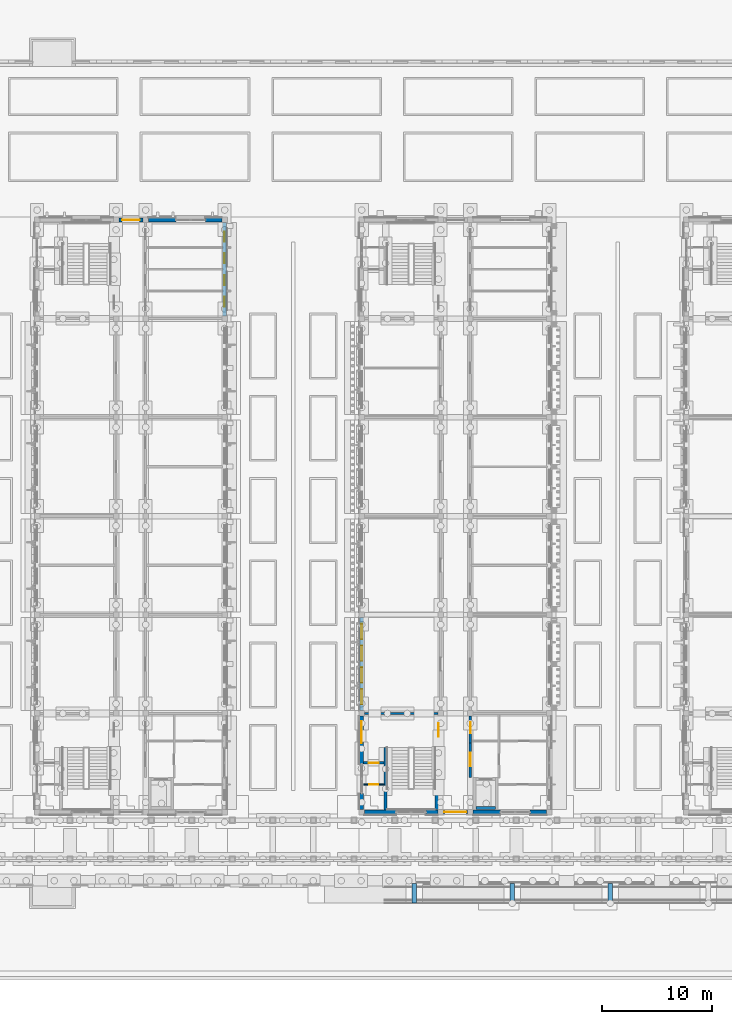
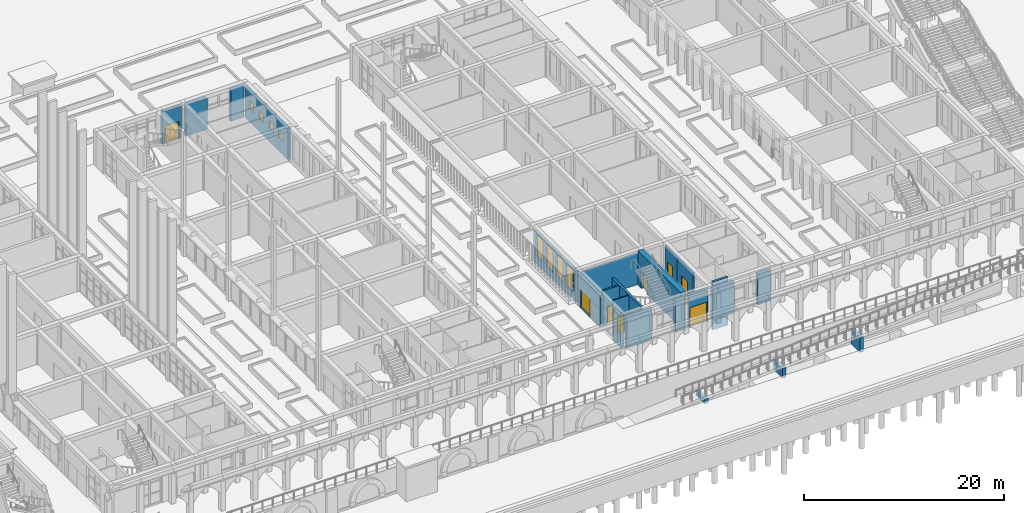
# One storey, part 67 of 161: 24 walls, 8 doors, 8 windows, 16 openings.
"""IFC4 building model written with IfcOpenShell, lengths in metres."""

from ifc_helpers import new_model, si_unit, direction, frame, frame_2d, origin, place, context, subcontext, project, spatial, rectangle, extrude, material, layer, layer_set, type_object, element, fill, save


model = new_model("IFC4")

# Units and contexts
model_context = context("Model", 3, precision=1e-05, world=origin(), true_north=direction((0.0, 1.0)))
body_context = subcontext(model_context, "Body", "Model", "MODEL_VIEW")
ifc_project = project(units=[si_unit("LENGTHUNIT", "METRE"), si_unit("AREAUNIT", "SQUARE_METRE"), si_unit("VOLUMEUNIT", "CUBIC_METRE"), si_unit("PLANEANGLEUNIT", "RADIAN"), si_unit("MASSUNIT", "GRAM", prefix="KILO")], contexts=[model_context])

# Site, building, storey
site_placement = place(None, origin())
site = spatial("IfcSite", under=ifc_project, at=site_placement, CompositionType="ELEMENT")
building_placement = place(site_placement, origin())
building = spatial("IfcBuilding", under=site, at=building_placement, Name="Elbe Cascade School", CompositionType="ELEMENT")
storey_placement = place(building_placement, origin())
storey = spatial("IfcBuildingStorey", under=building, at=storey_placement, Name="L00", CompositionType="ELEMENT", Elevation=0.0)

# Wall, opening, door
ifc_material_1 = material(Name="Masonry - lime-sand block, plastered", Category="masonry")
ifc_layer_1 = layer(ifc_material_1, 0.199951171875)
ifc_layer_set_1 = layer_set([ifc_layer_1], Name="Masonry - lime-sand block, plastered")
wall_type_1 = type_object("IfcWallType", Name="Bar corridor wall lime-sand block 200 EI 30", PredefinedType="PARTITIONING", material=ifc_layer_set_1)
wall_1_placement = place(storey_placement, frame((138.10009765625, 12.300048828125, 0.0), z_axis=(0.0, 0.0, 1.0), x_axis=(0.0, -1.0, 0.0)))
wall_1 = element("IfcWall", 1, at=wall_1_placement, inside=storey, type_object=wall_type_1, Name="Bar corridor wall lime-sand block 200 EI 30", PredefinedType="PARTITIONING", context=body_context, shape_type="SweptSolid", body=[
    extrude(rectangle(XDim=3.150146484375, YDim=0.199951171875, at=frame_2d((1.5751953125, 0.0))), origin(), (0.0, 0.0, 1.0), 3.800048828125),
])
opening_1_placement = place(wall_1_placement, frame((0.89990234375, 0.0, 0.0)))
opening_1 = element("IfcOpeningElement", 2, at=opening_1_placement, cuts=wall_1, Name="Opening D0.071", PredefinedType="OPENING", context=body_context, shape_type="SweptSolid", body=[
    extrude(rectangle(XDim=1.199951171875, YDim=2.10009765625, at=frame_2d((0.60009765625, 1.050048828125))), frame((0.0, 0.10986328125, 0.0), z_axis=(0.0, -1.0, 0.0), x_axis=(1.0, 0.0, 0.0)), (0.0, 0.0, 1.0), 0.219970703125),
])
ifc_material_2 = material(Name="Timber door leaf, fire-resisting and smoke-tight, steel frame", Category="steel")
door_type_1 = type_object("IfcDoorType", Name="Bar door FD30S 1200x2100", OperationType="NOTDEFINED", PredefinedType="DOOR", material=ifc_material_2)
door_1_placement = place(opening_1_placement, origin())
door_1 = element("IfcDoor", 3, at=door_1_placement, inside=storey, type_object=door_type_1, Name="Door C0.06", OperationType="SINGLE_SWING_LEFT", OverallHeight=2.10009765625, OverallWidth=1.199951171875, PredefinedType="DOOR", context=body_context, shape_type="SweptSolid", body=[
    extrude(rectangle(XDim=1.199951171875, YDim=2.10009765625, at=frame_2d((0.60009765625, 1.050048828125))), frame((0.0, 0.02490234375, 0.0), z_axis=(0.0, -1.0, 0.0), x_axis=(1.0, 0.0, 0.0)), (0.0, 0.0, 1.0), 0.050048828125),
])
fill(opening_1, door_1)

wall_2_placement = place(storey_placement, frame((138.10009765625, 12.300048828125, 0.0), z_axis=(0.0, 0.0, 1.0), x_axis=(0.0, 1.0, 0.0)))
wall_2 = element("IfcWall", 4, at=wall_2_placement, inside=storey, type_object=wall_type_1, Name="Bar corridor wall lime-sand block 200 EI 30", PredefinedType="PARTITIONING", context=body_context, shape_type="SweptSolid", body=[
    extrude(rectangle(XDim=2.449951171875, YDim=0.199951171875, at=frame_2d((1.22509765625, 0.0))), origin(), (0.0, 0.0, 1.0), 3.800048828125),
])
opening_2_placement = place(wall_2_placement, frame((0.89990234375, 0.0, 0.0)))
opening_2 = element("IfcOpeningElement", 5, at=opening_2_placement, cuts=wall_2, Name="Opening D0.076", PredefinedType="OPENING", context=body_context, shape_type="SweptSolid", body=[
    extrude(rectangle(XDim=1.0, YDim=2.10009765625, at=frame_2d((0.5, 1.050048828125))), frame((0.0, 0.10986328125, 0.0), z_axis=(0.0, -1.0, 0.0), x_axis=(1.0, 0.0, 0.0)), (0.0, 0.0, 1.0), 0.219970703125),
])
ifc_material_3 = material(Name="Timber door leaf, fire-resisting, steel frame", Category="steel")
door_type_2 = type_object("IfcDoorType", Name="Bar door FD30 1000x2100", OperationType="NOTDEFINED", PredefinedType="DOOR", material=ifc_material_3)
door_2_placement = place(opening_2_placement, origin())
door_2 = element("IfcDoor", 6, at=door_2_placement, inside=storey, type_object=door_type_2, Name="Door C0.10", OperationType="SINGLE_SWING_RIGHT", OverallHeight=2.10009765625, OverallWidth=1.0, PredefinedType="DOOR", context=body_context, shape_type="SweptSolid", body=[
    extrude(rectangle(XDim=1.0, YDim=2.10009765625, at=frame_2d((0.5, 1.050048828125))), frame((0.0, 0.02490234375, 0.0), z_axis=(0.0, -1.0, 0.0), x_axis=(1.0, 0.0, 0.0)), (0.0, 0.0, 1.0), 0.050048828125),
])
fill(opening_2, door_2)

ifc_material_4 = material(Name="Masonry - lime-sand block, plastered", Category="masonry")
ifc_layer_2 = layer(ifc_material_4, 0.114990234375)
ifc_layer_set_2 = layer_set([ifc_layer_2], Name="Masonry - lime-sand block, plastered")
wall_type_2 = type_object("IfcWallType", Name="Bar light partition wall lime-sand block 115", PredefinedType="PARTITIONING", material=ifc_layer_set_2)
wall_3_placement = place(storey_placement, frame((130.25, 8.52001953125, 0.0), z_axis=(0.0, 0.0, 1.0), x_axis=(-1.0, 0.0, 0.0)))
wall_3 = element("IfcWall", 7, at=wall_3_placement, inside=storey, type_object=wall_type_2, Name="Bar light partition wall lime-sand block 115", PredefinedType="PARTITIONING", context=body_context, shape_type="SweptSolid", body=[
    extrude(rectangle(XDim=1.8701171875, YDim=0.114990234375, at=frame_2d((0.93505859375, 0.0))), origin(), (0.0, 0.0, 1.0), 4.25),
])
opening_3_placement = place(wall_3_placement, frame((0.550048828125, 0.0, 0.0)))
opening_3 = element("IfcOpeningElement", 8, at=opening_3_placement, cuts=wall_3, Name="Opening D0.067", PredefinedType="OPENING", context=body_context, shape_type="SweptSolid", body=[
    extrude(rectangle(XDim=0.800048828125, YDim=2.10009765625, at=frame_2d((0.39990234375, 1.050048828125))), frame((0.0, 0.0673828125, 0.0), z_axis=(0.0, -1.0, 0.0), x_axis=(1.0, 0.0, 0.0)), (0.0, 0.0, 1.0), 0.135009765625),
])
ifc_material_5 = material(Name="Timber door leaf, steel frame", Category="steel")
door_type_3 = type_object("IfcDoorType", Name="Bar door 800x2100", OperationType="NOTDEFINED", PredefinedType="DOOR", material=ifc_material_5)
door_3_placement = place(opening_3_placement, origin())
door_3 = element("IfcDoor", 9, at=door_3_placement, inside=storey, type_object=door_type_3, Name="Door C0.05", OperationType="SINGLE_SWING_LEFT", OverallHeight=2.10009765625, OverallWidth=0.800048828125, PredefinedType="DOOR", context=body_context, shape_type="SweptSolid", body=[
    extrude(rectangle(XDim=0.800048828125, YDim=2.10009765625, at=frame_2d((0.39990234375, 1.050048828125))), frame((0.0, 0.02490234375, 0.0), z_axis=(0.0, -1.0, 0.0), x_axis=(1.0, 0.0, 0.0)), (0.0, 0.0, 1.0), 0.050048828125),
])
fill(opening_3, door_3)

# Wall
ifc_material_6 = material(Name="Concrete C30/37", Category="concrete")
ifc_layer_3 = layer(ifc_material_6, 0.25)
ifc_layer_set_3 = layer_set([ifc_layer_3], Name="Concrete C30/37")
wall_type_3 = type_object("IfcWallType", Name="Bar stair core wall RC 250", PredefinedType="SOLIDWALL", material=ifc_layer_set_3)
wall_4_placement = place(storey_placement, frame((130.375, 6.179931640625, 0.0), z_axis=(0.0, 0.0, 1.0), x_axis=(0.0, 1.0, 0.0)))
element("IfcWall", 10, at=wall_4_placement, inside=storey, type_object=wall_type_3, Name="Bar stair core wall RC 250", PredefinedType="SOLIDWALL", context=body_context, shape_type="SweptSolid", body=[
    extrude(rectangle(XDim=5.719970703125, YDim=0.25, at=frame_2d((2.85986328125, 0.0))), origin(), (0.0, 0.0, 1.0), 4.25),
])

# Wall, opening, door
ifc_material_7 = material(Name="Concrete C30/37", Category="concrete")
ifc_layer_4 = layer(ifc_material_7, 0.60009765625)
ifc_layer_set_4 = layer_set([ifc_layer_4], Name="Concrete C30/37")
wall_type_4 = type_object("IfcWallType", Name="Bar stair core wall RC 600", PredefinedType="SOLIDWALL", material=ifc_layer_set_4)
wall_5_placement = place(storey_placement, frame((135.199951171875, 6.25, 0.0), z_axis=(0.0, 0.0, 1.0), x_axis=(0.0, 1.0, 0.0)))
wall_5 = element("IfcWall", 11, at=wall_5_placement, inside=storey, type_object=wall_type_4, Name="Bar stair core wall RC 600", PredefinedType="SOLIDWALL", context=body_context, shape_type="SweptSolid", body=[
    extrude(rectangle(XDim=8.5, YDim=0.60009765625, at=frame_2d((4.25, 0.0))), origin(), (0.0, 0.0, 1.0), 4.25),
])
opening_4_placement = place(wall_5_placement, frame((6.64990234375, 0.0, 0.0)))
opening_4 = element("IfcOpeningElement", 12, at=opening_4_placement, cuts=wall_5, Name="Opening D0.075", PredefinedType="OPENING", context=body_context, shape_type="SweptSolid", body=[
    extrude(rectangle(XDim=1.199951171875, YDim=2.10009765625, at=frame_2d((0.60009765625, 1.050048828125))), frame((0.0, 0.31005859375, 0.0), z_axis=(0.0, -1.0, 0.0), x_axis=(1.0, 0.0, 0.0)), (0.0, 0.0, 1.0), 0.6201171875),
])
door_4_placement = place(opening_4_placement, origin())
door_4 = element("IfcDoor", 13, at=door_4_placement, inside=storey, type_object=door_type_1, Name="Door C0.03", OperationType="SINGLE_SWING_RIGHT", OverallHeight=2.10009765625, OverallWidth=1.199951171875, PredefinedType="DOOR", context=body_context, shape_type="SweptSolid", body=[
    extrude(rectangle(XDim=1.199951171875, YDim=2.10009765625, at=frame_2d((0.60009765625, 1.050048828125))), frame((0.0, 0.02490234375, 0.0), z_axis=(0.0, -1.0, 0.0), x_axis=(1.0, 0.0, 0.0)), (0.0, 0.0, 1.0), 0.050048828125),
])
fill(opening_4, door_4)

ifc_material_8 = material(Name="Concrete C30/37", Category="concrete")
ifc_layer_5 = layer(ifc_material_8, 0.199951171875)
ifc_layer_set_5 = layer_set([ifc_layer_5], Name="Concrete C30/37")
wall_type_5 = type_object("IfcWallType", Name="Bar stair lobby wall RC 200", PredefinedType="SOLIDWALL", material=ifc_layer_set_5)
wall_6_placement = place(storey_placement, frame((130.25, 10.5, 0.0), z_axis=(0.0, 0.0, 1.0), x_axis=(-1.0, 0.0, 0.0)))
wall_6 = element("IfcWall", 14, at=wall_6_placement, inside=storey, type_object=wall_type_5, Name="Bar stair lobby wall RC 200", PredefinedType="SOLIDWALL", context=body_context, shape_type="SweptSolid", body=[
    extrude(rectangle(XDim=1.8701171875, YDim=0.199951171875, at=frame_2d((0.93505859375, 0.0))), origin(), (0.0, 0.0, 1.0), 4.25),
])
opening_5_placement = place(wall_6_placement, frame((0.5, 0.0, 0.0)))
opening_5 = element("IfcOpeningElement", 15, at=opening_5_placement, cuts=wall_6, Name="Opening D0.070", PredefinedType="OPENING", context=body_context, shape_type="SweptSolid", body=[
    extrude(rectangle(XDim=0.89990234375, YDim=2.10009765625, at=frame_2d((0.449951171875, 1.050048828125))), frame((0.0, 0.10986328125, 0.0), z_axis=(0.0, -1.0, 0.0), x_axis=(1.0, 0.0, 0.0)), (0.0, 0.0, 1.0), 0.219970703125),
])
ifc_material_9 = material(Name="Timber door leaf, fire-resisting and smoke-tight, steel frame", Category="steel")
door_type_4 = type_object("IfcDoorType", Name="Bar door FD30S 900x2100", OperationType="NOTDEFINED", PredefinedType="DOOR", material=ifc_material_9)
door_5_placement = place(opening_5_placement, origin())
door_5 = element("IfcDoor", 16, at=door_5_placement, inside=storey, type_object=door_type_4, Name="Door C0.04", OperationType="SINGLE_SWING_RIGHT", OverallHeight=2.10009765625, OverallWidth=0.89990234375, PredefinedType="DOOR", context=body_context, shape_type="SweptSolid", body=[
    extrude(rectangle(XDim=0.89990234375, YDim=2.10009765625, at=frame_2d((0.449951171875, 1.050048828125))), frame((0.0, 0.02490234375, 0.0), z_axis=(0.0, -1.0, 0.0), x_axis=(1.0, 0.0, 0.0)), (0.0, 0.0, 1.0), 0.050048828125),
])
fill(opening_5, door_5)

# Wall
wall_7_placement = place(storey_placement, frame((128.449951171875, 15.0, 0.0), z_axis=(0.0, 0.0, 1.0), x_axis=(1.0, 0.0, 0.0)))
element("IfcWall", 17, at=wall_7_placement, inside=storey, type_object=wall_type_5, Name="Bar stair lobby wall RC 200", PredefinedType="SOLIDWALL", context=body_context, shape_type="SweptSolid", body=[
    extrude(rectangle(XDim=6.699951171875, YDim=0.199951171875, at=frame_2d((3.35009765625, 0.0))), origin(), (0.0, 0.0, 1.0), 3.800048828125),
])

# Wall, openings, windows
ifc_material_10 = material(Name="Brick masonry - red clinker, cavity wall with render backing", Category="masonry")
ifc_layer_6 = layer(ifc_material_10, 0.360107421875)
ifc_layer_set_6 = layer_set([ifc_layer_6], Name="Brick masonry - red clinker, cavity wall with render backing")
wall_type_6 = type_object("IfcWallType", Name="Bars envelope External wall - clinker brick cavity, 360 ground floor", PredefinedType="STANDARD", material=ifc_layer_set_6)
wall_8_placement = place(storey_placement, frame((115.699951171875, 59.75, 0.0), z_axis=(0.0, 0.0, 1.0), x_axis=(0.0, -1.0, 0.0)))
wall_8 = element("IfcWall", 18, at=wall_8_placement, inside=storey, type_object=wall_type_6, Name="External wall W29 B.L00.e6", PredefinedType="STANDARD", context=body_context, shape_type="SweptSolid", body=[
    extrude(rectangle(XDim=8.5, YDim=0.360107421875, at=frame_2d((4.25, 0.0))), origin(), (0.0, 0.0, 1.0), 3.75),
])
opening_6_placement = place(wall_8_placement, frame((6.77001953125, 0.0, 1.60009765625)))
opening_6 = element("IfcOpeningElement", 19, at=opening_6_placement, cuts=wall_8, Name="Opening W0.049", PredefinedType="OPENING", context=body_context, shape_type="SweptSolid", body=[
    extrude(rectangle(XDim=0.89990234375, YDim=1.0, at=frame_2d((0.449951171875, 0.5))), frame((0.0, 0.18994140625, 0.0), z_axis=(0.0, -1.0, 0.0), x_axis=(1.0, 0.0, 0.0)), (0.0, 0.0, 1.0), 0.380126953125),
])
opening_7_placement = place(wall_8_placement, frame((4.7900390625, 0.0, 1.60009765625)))
opening_7 = element("IfcOpeningElement", 20, at=opening_7_placement, cuts=wall_8, Name="Opening W0.050", PredefinedType="OPENING", context=body_context, shape_type="SweptSolid", body=[
    extrude(rectangle(XDim=0.89990234375, YDim=1.0, at=frame_2d((0.449951171875, 0.5))), frame((0.0, 0.18994140625, 0.0), z_axis=(0.0, -1.0, 0.0), x_axis=(1.0, 0.0, 0.0)), (0.0, 0.0, 1.0), 0.380126953125),
])
opening_8_placement = place(wall_8_placement, frame((2.81005859375, 0.0, 1.60009765625)))
opening_8 = element("IfcOpeningElement", 21, at=opening_8_placement, cuts=wall_8, Name="Opening W0.051", PredefinedType="OPENING", context=body_context, shape_type="SweptSolid", body=[
    extrude(rectangle(XDim=0.89990234375, YDim=1.0, at=frame_2d((0.449951171875, 0.5))), frame((0.0, 0.18994140625, 0.0), z_axis=(0.0, -1.0, 0.0), x_axis=(1.0, 0.0, 0.0)), (0.0, 0.0, 1.0), 0.380126953125),
])
opening_9_placement = place(wall_8_placement, frame((0.830078125, 0.0, 1.60009765625)))
opening_9 = element("IfcOpeningElement", 22, at=opening_9_placement, cuts=wall_8, Name="Opening W0.052", PredefinedType="OPENING", context=body_context, shape_type="SweptSolid", body=[
    extrude(rectangle(XDim=0.89990234375, YDim=1.0, at=frame_2d((0.449951171875, 0.5))), frame((0.0, 0.18994140625, 0.0), z_axis=(0.0, -1.0, 0.0), x_axis=(1.0, 0.0, 0.0)), (0.0, 0.0, 1.0), 0.380126953125),
])
ifc_material_11 = material(Name="Aluminium frame with double glazing, bronze anodised", Category="aluminium")
window_type_1 = type_object("IfcWindowType", Name="Bars envelope Window 900 x 1000, WC and service room, high level, aluminium double glazed", PartitioningType="SINGLE_PANEL", PredefinedType="WINDOW", material=ifc_material_11)
window_1_placement = place(opening_6_placement, origin())
window_1 = element("IfcWindow", 23, at=window_1_placement, inside=storey, type_object=window_type_1, Name="Window WN4 B.L00.e6.1", OverallHeight=1.0, OverallWidth=0.89990234375, PartitioningType="SINGLE_PANEL", PredefinedType="WINDOW", context=body_context, shape_type="SweptSolid", body=[
    extrude(rectangle(XDim=0.89990234375, YDim=1.0, at=frame_2d((0.449951171875, 0.5))), frame((0.0, 0.030029296875, 0.0), z_axis=(0.0, -1.0, 0.0), x_axis=(1.0, 0.0, 0.0)), (0.0, 0.0, 1.0), 0.06005859375),
])
fill(opening_6, window_1)
window_2_placement = place(opening_7_placement, origin())
window_2 = element("IfcWindow", 24, at=window_2_placement, inside=storey, type_object=window_type_1, Name="Window WN4 B.L00.e6.2", OverallHeight=1.0, OverallWidth=0.89990234375, PartitioningType="SINGLE_PANEL", PredefinedType="WINDOW", context=body_context, shape_type="SweptSolid", body=[
    extrude(rectangle(XDim=0.89990234375, YDim=1.0, at=frame_2d((0.449951171875, 0.5))), frame((0.0, 0.030029296875, 0.0), z_axis=(0.0, -1.0, 0.0), x_axis=(1.0, 0.0, 0.0)), (0.0, 0.0, 1.0), 0.06005859375),
])
fill(opening_7, window_2)
window_3_placement = place(opening_8_placement, origin())
window_3 = element("IfcWindow", 25, at=window_3_placement, inside=storey, type_object=window_type_1, Name="Window WN4 B.L00.e6.3", OverallHeight=1.0, OverallWidth=0.89990234375, PartitioningType="SINGLE_PANEL", PredefinedType="WINDOW", context=body_context, shape_type="SweptSolid", body=[
    extrude(rectangle(XDim=0.89990234375, YDim=1.0, at=frame_2d((0.449951171875, 0.5))), frame((0.0, 0.030029296875, 0.0), z_axis=(0.0, -1.0, 0.0), x_axis=(1.0, 0.0, 0.0)), (0.0, 0.0, 1.0), 0.06005859375),
])
fill(opening_8, window_3)
window_4_placement = place(opening_9_placement, origin())
window_4 = element("IfcWindow", 26, at=window_4_placement, inside=storey, type_object=window_type_1, Name="Window WN4 B.L00.e6.4", OverallHeight=1.0, OverallWidth=0.89990234375, PartitioningType="SINGLE_PANEL", PredefinedType="WINDOW", context=body_context, shape_type="SweptSolid", body=[
    extrude(rectangle(XDim=0.89990234375, YDim=1.0, at=frame_2d((0.449951171875, 0.5))), frame((0.0, 0.030029296875, 0.0), z_axis=(0.0, -1.0, 0.0), x_axis=(1.0, 0.0, 0.0)), (0.0, 0.0, 1.0), 0.06005859375),
])
fill(opening_9, window_4)

# Wall, opening, door
wall_9_placement = place(storey_placement, frame((106.050048828125, 60.0, 0.0), z_axis=(0.0, 0.0, 1.0), x_axis=(1.0, 0.0, 0.0)))
wall_9 = element("IfcWall", 27, at=wall_9_placement, inside=storey, type_object=wall_type_6, Name="External wall W29 B.L00.n2", PredefinedType="STANDARD", context=body_context, shape_type="SweptSolid", body=[
    extrude(rectangle(XDim=2.199951171875, YDim=0.360107421875, at=frame_2d((1.10009765625, 0.0))), origin(), (0.0, 0.0, 1.0), 3.89990234375),
])
opening_10_placement = place(wall_9_placement, frame((0.300048828125, 0.0, 0.0)))
opening_10 = element("IfcOpeningElement", 28, at=opening_10_placement, cuts=wall_9, Name="Opening D0.065", PredefinedType="OPENING", context=body_context, shape_type="SweptSolid", body=[
    extrude(rectangle(XDim=1.60009765625, YDim=2.10009765625, at=frame_2d((0.800048828125, 1.050048828125))), frame((0.0, 0.18994140625, 0.0), z_axis=(0.0, -1.0, 0.0), x_axis=(1.0, 0.0, 0.0)), (0.0, 0.0, 1.0), 0.380126953125),
])
ifc_material_12 = material(Name="Steel door set, fire resisting", Category="steel")
door_type_5 = type_object("IfcDoorType", Name="Bars envelope Fire exit door, double leaf, 1600 x 2100, fire resisting", OperationType="DOUBLE_DOOR_SINGLE_SWING", PredefinedType="DOOR", material=ifc_material_12)
door_6_placement = place(opening_10_placement, origin())
door_6 = element("IfcDoor", 29, at=door_6_placement, inside=storey, type_object=door_type_5, Name="Fire exit door D16 B.L00.n2", OperationType="DOUBLE_DOOR_SINGLE_SWING", OverallHeight=2.10009765625, OverallWidth=1.60009765625, PredefinedType="DOOR", context=body_context, shape_type="SweptSolid", body=[
    extrude(rectangle(XDim=1.60009765625, YDim=2.10009765625, at=frame_2d((0.800048828125, 1.050048828125))), frame((0.0, 0.02490234375, 0.0), z_axis=(0.0, -1.0, 0.0), x_axis=(1.0, 0.0, 0.0)), (0.0, 0.0, 1.0), 0.050048828125),
])
fill(opening_10, door_6)

# Wall, openings, windows
wall_10_placement = place(storey_placement, frame((128.199951171875, 15.25, 0.0), z_axis=(0.0, 0.0, 1.0), x_axis=(0.0, 1.0, 0.0)))
wall_10 = element("IfcWall", 30, at=wall_10_placement, inside=storey, type_object=wall_type_6, Name="External wall W29 C.L00.w2", PredefinedType="STANDARD", context=body_context, shape_type="SweptSolid", body=[
    extrude(rectangle(XDim=8.5, YDim=0.360107421875, at=frame_2d((4.25, 0.0))), origin(), (0.0, 0.0, 1.0), 3.75),
])
opening_11_placement = place(wall_10_placement, frame((0.580078125, 0.0, 0.89990234375)))
opening_11 = element("IfcOpeningElement", 31, at=opening_11_placement, cuts=wall_10, Name="Opening W0.055", PredefinedType="OPENING", context=body_context, shape_type="SweptSolid", body=[
    extrude(rectangle(XDim=1.39990234375, YDim=2.699951171875, at=frame_2d((0.699951171875, 1.35009765625))), frame((0.0, 0.18994140625, 0.0), z_axis=(0.0, -1.0, 0.0), x_axis=(1.0, 0.0, 0.0)), (0.0, 0.0, 1.0), 0.380126953125),
])
opening_12_placement = place(wall_10_placement, frame((2.56005859375, 0.0, 0.89990234375)))
opening_12 = element("IfcOpeningElement", 32, at=opening_12_placement, cuts=wall_10, Name="Opening W0.057", PredefinedType="OPENING", context=body_context, shape_type="SweptSolid", body=[
    extrude(rectangle(XDim=1.39990234375, YDim=2.699951171875, at=frame_2d((0.699951171875, 1.35009765625))), frame((0.0, 0.18994140625, 0.0), z_axis=(0.0, -1.0, 0.0), x_axis=(1.0, 0.0, 0.0)), (0.0, 0.0, 1.0), 0.380126953125),
])
opening_13_placement = place(wall_10_placement, frame((4.5400390625, 0.0, 0.89990234375)))
opening_13 = element("IfcOpeningElement", 33, at=opening_13_placement, cuts=wall_10, Name="Opening W0.059", PredefinedType="OPENING", context=body_context, shape_type="SweptSolid", body=[
    extrude(rectangle(XDim=1.39990234375, YDim=2.699951171875, at=frame_2d((0.699951171875, 1.35009765625))), frame((0.0, 0.18994140625, 0.0), z_axis=(0.0, -1.0, 0.0), x_axis=(1.0, 0.0, 0.0)), (0.0, 0.0, 1.0), 0.380126953125),
])
opening_14_placement = place(wall_10_placement, frame((6.52001953125, 0.0, 0.89990234375)))
opening_14 = element("IfcOpeningElement", 34, at=opening_14_placement, cuts=wall_10, Name="Opening W0.061", PredefinedType="OPENING", context=body_context, shape_type="SweptSolid", body=[
    extrude(rectangle(XDim=1.39990234375, YDim=2.699951171875, at=frame_2d((0.699951171875, 1.35009765625))), frame((0.0, 0.18994140625, 0.0), z_axis=(0.0, -1.0, 0.0), x_axis=(1.0, 0.0, 0.0)), (0.0, 0.0, 1.0), 0.380126953125),
])
ifc_material_13 = material(Name="Aluminium frame with double glazing, bronze anodised", Category="aluminium")
window_type_2 = type_object("IfcWindowType", Name="Bars envelope Window 1400 x 2700, laboratory and office, bench height sill, aluminium double glazed", PartitioningType="DOUBLE_PANEL_VERTICAL", PredefinedType="WINDOW", material=ifc_material_13)
window_5_placement = place(opening_11_placement, origin())
window_5 = element("IfcWindow", 35, at=window_5_placement, inside=storey, type_object=window_type_2, Name="Window WN14 C.L00.w2.1", OverallHeight=2.699951171875, OverallWidth=1.39990234375, PartitioningType="DOUBLE_PANEL_VERTICAL", PredefinedType="WINDOW", context=body_context, shape_type="SweptSolid", body=[
    extrude(rectangle(XDim=1.39990234375, YDim=2.699951171875, at=frame_2d((0.699951171875, 1.35009765625))), frame((0.0, 0.030029296875, 0.0), z_axis=(0.0, -1.0, 0.0), x_axis=(1.0, 0.0, 0.0)), (0.0, 0.0, 1.0), 0.06005859375),
])
fill(opening_11, window_5)
window_6_placement = place(opening_12_placement, origin())
window_6 = element("IfcWindow", 36, at=window_6_placement, inside=storey, type_object=window_type_2, Name="Window WN14 C.L00.w2.2", OverallHeight=2.699951171875, OverallWidth=1.39990234375, PartitioningType="DOUBLE_PANEL_VERTICAL", PredefinedType="WINDOW", context=body_context, shape_type="SweptSolid", body=[
    extrude(rectangle(XDim=1.39990234375, YDim=2.699951171875, at=frame_2d((0.699951171875, 1.35009765625))), frame((0.0, 0.030029296875, 0.0), z_axis=(0.0, -1.0, 0.0), x_axis=(1.0, 0.0, 0.0)), (0.0, 0.0, 1.0), 0.06005859375),
])
fill(opening_12, window_6)
window_7_placement = place(opening_13_placement, origin())
window_7 = element("IfcWindow", 37, at=window_7_placement, inside=storey, type_object=window_type_2, Name="Window WN14 C.L00.w2.3", OverallHeight=2.699951171875, OverallWidth=1.39990234375, PartitioningType="DOUBLE_PANEL_VERTICAL", PredefinedType="WINDOW", context=body_context, shape_type="SweptSolid", body=[
    extrude(rectangle(XDim=1.39990234375, YDim=2.699951171875, at=frame_2d((0.699951171875, 1.35009765625))), frame((0.0, 0.030029296875, 0.0), z_axis=(0.0, -1.0, 0.0), x_axis=(1.0, 0.0, 0.0)), (0.0, 0.0, 1.0), 0.06005859375),
])
fill(opening_13, window_7)
window_8_placement = place(opening_14_placement, origin())
window_8 = element("IfcWindow", 38, at=window_8_placement, inside=storey, type_object=window_type_2, Name="Window WN14 C.L00.w2.4", OverallHeight=2.699951171875, OverallWidth=1.39990234375, PartitioningType="DOUBLE_PANEL_VERTICAL", PredefinedType="WINDOW", context=body_context, shape_type="SweptSolid", body=[
    extrude(rectangle(XDim=1.39990234375, YDim=2.699951171875, at=frame_2d((0.699951171875, 1.35009765625))), frame((0.0, 0.030029296875, 0.0), z_axis=(0.0, -1.0, 0.0), x_axis=(1.0, 0.0, 0.0)), (0.0, 0.0, 1.0), 0.06005859375),
])
fill(opening_14, window_8)

# Wall, opening, door
wall_11_placement = place(storey_placement, frame((137.85009765625, 6.0, 0.0), z_axis=(0.0, 0.0, 1.0), x_axis=(-1.0, 0.0, 0.0)))
wall_11 = element("IfcWall", 39, at=wall_11_placement, inside=storey, type_object=wall_type_6, Name="External wall W29 C.L00.s2", PredefinedType="STANDARD", context=body_context, shape_type="SweptSolid", body=[
    extrude(rectangle(XDim=2.2001953125, YDim=0.360107421875, at=frame_2d((1.10009765625, 0.0))), origin(), (0.0, 0.0, 1.0), 3.89990234375),
])
opening_15_placement = place(wall_11_placement, frame((0.10009765625, 0.0, 0.0)))
opening_15 = element("IfcOpeningElement", 40, at=opening_15_placement, cuts=wall_11, Name="Opening D0.066", PredefinedType="OPENING", context=body_context, shape_type="SweptSolid", body=[
    extrude(rectangle(XDim=2.0, YDim=2.39990234375, at=frame_2d((1.0, 1.199951171875))), frame((0.0, 0.18994140625, 0.0), z_axis=(0.0, -1.0, 0.0), x_axis=(1.0, 0.0, 0.0)), (0.0, 0.0, 1.0), 0.380126953125),
])
ifc_material_14 = material(Name="Aluminium and glass fire-resisting door set", Category="aluminium")
door_type_6 = type_object("IfcDoorType", Name="Bars envelope Main entrance door, double leaf, glazed, 2000 x 2400, fire resisting", OperationType="DOUBLE_DOOR_SINGLE_SWING", PredefinedType="DOOR", material=ifc_material_14)
door_7_placement = place(opening_15_placement, origin())
door_7 = element("IfcDoor", 41, at=door_7_placement, inside=storey, type_object=door_type_6, Name="Main entrance door D15 C.L00.s2", OperationType="DOUBLE_DOOR_SINGLE_SWING", OverallHeight=2.39990234375, OverallWidth=2.0, PredefinedType="DOOR", context=body_context, shape_type="SweptSolid", body=[
    extrude(rectangle(XDim=2.0, YDim=2.39990234375, at=frame_2d((1.0, 1.199951171875))), frame((0.0, 0.02490234375, 0.0), z_axis=(0.0, -1.0, 0.0), x_axis=(1.0, 0.0, 0.0)), (0.0, 0.0, 1.0), 0.050048828125),
])
fill(opening_15, door_7)

# Walls
ifc_material_15 = material(Name="Brick masonry - red clinker, solid, sandstone-faced", Category="masonry")
ifc_layer_7 = layer(ifc_material_15, 0.39990234375)
ifc_layer_set_7 = layer_set([ifc_layer_7], Name="Brick masonry - red clinker, solid, sandstone-faced")
wall_type_7 = type_object("IfcWallType", Name="Bars envelope External wall - solid masonry core strip, sandstone faced, 400", PredefinedType="STANDARD", material=ifc_layer_set_7)
wall_12_placement = place(storey_placement, frame((108.75, 60.02001953125, 0.0), z_axis=(0.0, 0.0, 1.0), x_axis=(1.0, 0.0, 0.0)))
element("IfcWall", 42, at=wall_12_placement, inside=storey, type_object=wall_type_7, Name="External wall W31 B.L00.n3a", PredefinedType="STANDARD", context=body_context, shape_type="SweptSolid", body=[
    extrude(rectangle(XDim=2.5, YDim=0.39990234375, at=frame_2d((1.25, 0.0))), origin(), (0.0, 0.0, 1.0), 3.800048828125),
])
wall_13_placement = place(storey_placement, frame((113.949951171875, 60.02001953125, 0.0), z_axis=(0.0, 0.0, 1.0), x_axis=(1.0, 0.0, 0.0)))
element("IfcWall", 43, at=wall_13_placement, inside=storey, type_object=wall_type_7, Name="External wall W31 B.L00.n3b", PredefinedType="STANDARD", context=body_context, shape_type="SweptSolid", body=[
    extrude(rectangle(XDim=1.5, YDim=0.39990234375, at=frame_2d((0.75, 0.0))), origin(), (0.0, 0.0, 1.0), 3.800048828125),
])
wall_14_placement = place(storey_placement, frame((128.179931640625, 6.25, 0.0), z_axis=(0.0, 0.0, 1.0), x_axis=(0.0, 1.0, 0.0)))
element("IfcWall", 44, at=wall_14_placement, inside=storey, type_object=wall_type_7, Name="External wall W31 C.L00.w1a", PredefinedType="STANDARD", context=body_context, shape_type="SweptSolid", body=[
    extrude(rectangle(XDim=1.43994140625, YDim=0.39990234375, at=frame_2d((0.719970703125, 0.0))), origin(), (0.0, 0.0, 1.0), 3.75),
])

# Wall, opening, door
wall_15_placement = place(storey_placement, frame((128.179931640625, 10.389892578125, 0.0), z_axis=(0.0, 0.0, 1.0), x_axis=(0.0, 1.0, 0.0)))
wall_15 = element("IfcWall", 45, at=wall_15_placement, inside=storey, type_object=wall_type_7, Name="External wall W31 C.L00.w1b", PredefinedType="STANDARD", context=body_context, shape_type="SweptSolid", body=[
    extrude(rectangle(XDim=4.360107421875, YDim=0.39990234375, at=frame_2d((2.18017578125, 0.0))), origin(), (0.0, 0.0, 1.0), 3.75),
])
opening_16_placement = place(wall_15_placement, frame((1.909912109375, 0.0, 0.0)))
opening_16 = element("IfcOpeningElement", 46, at=opening_16_placement, cuts=wall_15, Name="Opening D0.074", PredefinedType="OPENING", context=body_context, shape_type="SweptSolid", body=[
    extrude(rectangle(XDim=2.0, YDim=2.199951171875, at=frame_2d((1.0, 1.10009765625))), frame((0.0, 0.2099609375, 0.0), z_axis=(0.0, -1.0, 0.0), x_axis=(1.0, 0.0, 0.0)), (0.0, 0.0, 1.0), 0.419921875),
])
ifc_material_16 = material(Name="Steel door set, fire resisting", Category="steel")
door_type_7 = type_object("IfcDoorType", Name="Bars envelope Stair exit door, double leaf, 2000 x 2200, fire resisting", OperationType="DOUBLE_DOOR_SINGLE_SWING", PredefinedType="DOOR", material=ifc_material_16)
door_8_placement = place(opening_16_placement, origin())
door_8 = element("IfcDoor", 47, at=door_8_placement, inside=storey, type_object=door_type_7, Name="Stair exit door D12 C.L00.w1b", OperationType="DOUBLE_DOOR_SINGLE_SWING", OverallHeight=2.199951171875, OverallWidth=2.0, PredefinedType="DOOR", context=body_context, shape_type="SweptSolid", body=[
    extrude(rectangle(XDim=2.0, YDim=2.199951171875, at=frame_2d((1.0, 1.10009765625))), frame((0.0, 0.02490234375, 0.0), z_axis=(0.0, -1.0, 0.0), x_axis=(1.0, 0.0, 0.0)), (0.0, 0.0, 1.0), 0.050048828125),
])
fill(opening_16, door_8)

# Walls
wall_16_placement = place(storey_placement, frame((131.35009765625, 5.97998046875, 0.0), z_axis=(0.0, 0.0, 1.0), x_axis=(-1.0, 0.0, 0.0)))
element("IfcWall", 48, at=wall_16_placement, inside=storey, type_object=wall_type_7, Name="External wall W31 C.L00.s1a", PredefinedType="STANDARD", context=body_context, shape_type="SweptSolid", body=[
    extrude(rectangle(XDim=2.900146484375, YDim=0.39990234375, at=frame_2d((1.4501953125, 0.0))), origin(), (0.0, 0.0, 1.0), 3.800048828125),
])
wall_17_placement = place(storey_placement, frame((135.14990234375, 5.97998046875, 0.0), z_axis=(0.0, 0.0, 1.0), x_axis=(-1.0, 0.0, 0.0)))
element("IfcWall", 49, at=wall_17_placement, inside=storey, type_object=wall_type_7, Name="External wall W31 C.L00.s1b", PredefinedType="STANDARD", context=body_context, shape_type="SweptSolid", body=[
    extrude(rectangle(XDim=1.099853515625, YDim=0.39990234375, at=frame_2d((0.5498046875, 0.0))), origin(), (0.0, 0.0, 1.0), 3.800048828125),
])
wall_18_placement = place(storey_placement, frame((140.85009765625, 5.97998046875, 0.0), z_axis=(0.0, 0.0, 1.0), x_axis=(-1.0, 0.0, 0.0)))
element("IfcWall", 50, at=wall_18_placement, inside=storey, type_object=wall_type_7, Name="External wall W31 C.L00.s3a", PredefinedType="STANDARD", context=body_context, shape_type="SweptSolid", body=[
    extrude(rectangle(XDim=2.5, YDim=0.39990234375, at=frame_2d((1.25, 0.0))), origin(), (0.0, 0.0, 1.0), 3.800048828125),
])
wall_19_placement = place(storey_placement, frame((145.050048828125, 5.97998046875, 0.0), z_axis=(0.0, 0.0, 1.0), x_axis=(-1.0, 0.0, 0.0)))
element("IfcWall", 51, at=wall_19_placement, inside=storey, type_object=wall_type_7, Name="External wall W31 C.L00.s3b", PredefinedType="STANDARD", context=body_context, shape_type="SweptSolid", body=[
    extrude(rectangle(XDim=1.5, YDim=0.39990234375, at=frame_2d((0.75, 0.0))), origin(), (0.0, 0.0, 1.0), 3.800048828125),
])
ifc_material_17 = material(Name="Concrete C30/37", Category="concrete")
ifc_layer_8 = layer(ifc_material_17, 0.39990234375)
ifc_layer_set_8 = layer_set([ifc_layer_8], Name="Concrete C30/37")
wall_type_8 = type_object("IfcWallType", Name="Retaining support wall RC 400", PredefinedType="SHEAR", material=ifc_layer_set_8)
wall_20_placement = place(storey_placement, frame((132.989990234375, -2.300048828125, -3.39990234375), z_axis=(0.0, 0.0, 1.0), x_axis=(0.0, 1.0, 0.0)))
element("IfcWall", 52, at=wall_20_placement, inside=storey, type_object=wall_type_8, Name="Quay ramp landing wall 1", PredefinedType="SHEAR", context=body_context, shape_type="SweptSolid", body=[
    extrude(rectangle(XDim=1.800048828125, YDim=0.39990234375, at=frame_2d((0.89990234375, 0.0))), origin(), (0.0, 0.0, 1.0), 0.56982421875),
])
wall_21_placement = place(storey_placement, frame((141.929931640625, -2.300048828125, -3.39990234375), z_axis=(0.0, 0.0, 1.0), x_axis=(0.0, 1.0, 0.0)))
element("IfcWall", 53, at=wall_21_placement, inside=storey, type_object=wall_type_8, Name="Quay ramp landing wall 2", PredefinedType="SHEAR", context=body_context, shape_type="SweptSolid", body=[
    extrude(rectangle(XDim=1.800048828125, YDim=0.39990234375, at=frame_2d((0.89990234375, 0.0))), origin(), (0.0, 0.0, 1.0), 1.18994140625),
])
wall_22_placement = place(storey_placement, frame((150.8701171875, -2.300048828125, -3.39990234375), z_axis=(0.0, 0.0, 1.0), x_axis=(0.0, 1.0, 0.0)))
element("IfcWall", 54, at=wall_22_placement, inside=storey, type_object=wall_type_8, Name="Quay ramp landing wall 3", PredefinedType="SHEAR", context=body_context, shape_type="SweptSolid", body=[
    extrude(rectangle(XDim=1.800048828125, YDim=0.39990234375, at=frame_2d((0.89990234375, 0.0))), origin(), (0.0, 0.0, 1.0), 1.809814453125),
])
ifc_material_18 = material(Name="Concrete C30/37", Category="concrete")
ifc_layer_9 = layer(ifc_material_18, 0.25)
ifc_layer_set_9 = layer_set([ifc_layer_9], Name="Concrete C30/37")
wall_type_9 = type_object("IfcWallType", Name="Shaft wall 250", PredefinedType="SHEAR", material=ifc_layer_set_9)
wall_23_placement = place(storey_placement, frame((138.60009765625, 6.375, 0.0), z_axis=(0.0, 0.0, 1.0), x_axis=(1.0, 0.0, 0.0)))
element("IfcWall", 55, at=wall_23_placement, inside=storey, type_object=wall_type_9, Name="Shaft wall 250 W1", PredefinedType="SHEAR", context=body_context, shape_type="SweptSolid", body=[
    extrude(rectangle(XDim=1.7998046875, YDim=0.25, at=frame_2d((0.89990234375, 0.0))), origin(), (0.0, 0.0, 1.0), 4.25),
])
wall_24_placement = place(storey_placement, frame((138.60009765625, 6.375, -1.60009765625), z_axis=(0.0, 0.0, 1.0), x_axis=(1.0, 0.0, 0.0)))
element("IfcWall", 56, at=wall_24_placement, inside=storey, type_object=wall_type_9, Name="Shaft wall 250 W1", PredefinedType="SHEAR", context=body_context, shape_type="SweptSolid", body=[
    extrude(rectangle(XDim=1.7998046875, YDim=0.25, at=frame_2d((0.89990234375, 0.0))), origin(), (0.0, 0.0, 1.0), 1.60009765625),
])

save(model, "model.ifc")
